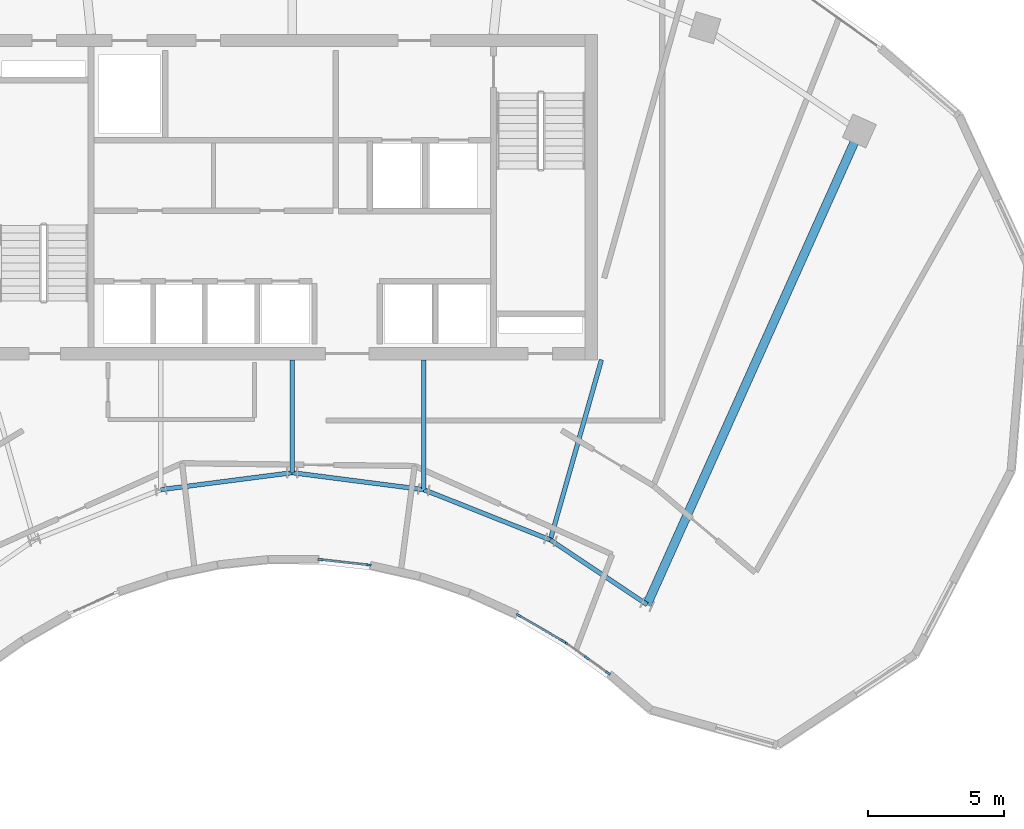
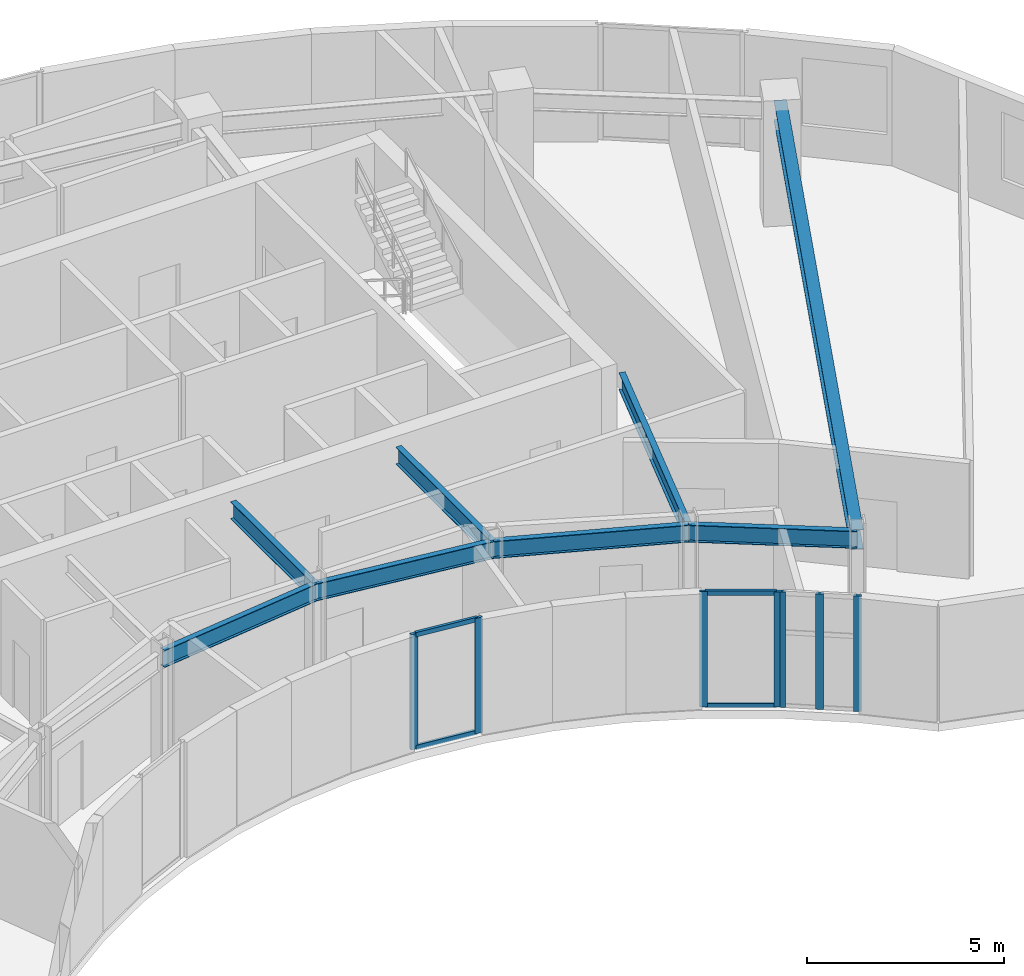
# One storey, part 3 of 12: 11 members, 8 beams, 3 elements without a shape of their own.
"""IFC4 building model written with IfcOpenShell, lengths in metres."""

from ifc_helpers import new_model, si_unit, direction, frame, origin, origin_2d, place, context, subcontext, project, spatial, rectangle, i_section, extrude, source, transform, mapped, material, layer, layer_set, material_profile, profile_set, type_object, type_shapes, element, aggregate, save


model = new_model("IFC4")

# Units and contexts
model_context = context("Model", 3, precision=1e-05, world=origin(), true_north=direction((0.0, 1.0)))
body_context = subcontext(model_context, "Body", "Model", "MODEL_VIEW")
ifc_project = project(units=[si_unit("LENGTHUNIT", "METRE"), si_unit("AREAUNIT", "SQUARE_METRE"), si_unit("VOLUMEUNIT", "CUBIC_METRE"), si_unit("PLANEANGLEUNIT", "RADIAN"), si_unit("MASSUNIT", "GRAM", prefix="KILO")], contexts=[model_context])

# Site, building, storey
site_placement = place(None, origin())
site = spatial("IfcSite", under=ifc_project, at=site_placement, CompositionType="ELEMENT")
building_placement = place(site_placement, origin())
building = spatial("IfcBuilding", under=site, at=building_placement, Name="Breltana Convention Tower", CompositionType="ELEMENT")
storey_placement = place(building_placement, frame((0.0, 0.0, 250.800048828125)))
storey = spatial("IfcBuildingStorey", under=building, at=storey_placement, Name="L61", CompositionType="ELEMENT", Elevation=250.800048828125)

# Beams
ifc_material_1 = material(Name="Steel ASTM A992 Grade 50", Category="steel")
ifc_material_profile_1 = material_profile(ifc_material_1, i_section(OverallWidth=0.166015625, OverallDepth=0.534912109375, WebThickness=0.01025390625, FlangeThickness=0.0166015625, at=origin_2d()), Name="W21X57")
ifc_profile_set_1 = profile_set([ifc_material_profile_1], Name="Steel ASTM A992 Grade 50")
beam_type_1 = type_object("IfcBeamType", Name="BM-BM-W21X57", PredefinedType="BEAM", material=ifc_profile_set_1)
shared_shape_1 = source(origin(), body_context, "Body", "SweptSolid", [
    extrude(i_section(OverallWidth=0.166015625, OverallDepth=0.534912109375, WebThickness=0.01025390625, FlangeThickness=0.0166015625, at=origin_2d()), origin(), (0.0, 0.0, 1.0), 6.904541015625),
])
type_shapes(beam_type_1, [shared_shape_1])
beam_1_placement = place(storey_placement, frame((59.39990234375, 60.199951171875, 3.3125), z_axis=(-0.273006781054, -0.962012108811, 0.0), x_axis=(0.962012108811, -0.273006781054, 0.0)))
element("IfcBeam", 1, at=beam_1_placement, inside=storey, type_object=beam_type_1, Name="L61 South Core Tie Girder R08", PredefinedType="BEAM", context=body_context, shape_type="MappedRepresentation", body=[
    mapped(shared_shape_1, transform((0.0, 0.0, 0.0), scale=1.0)),
])
shared_shape_2 = source(origin(), body_context, "Body", "SweptSolid", [
    extrude(i_section(OverallWidth=0.166015625, OverallDepth=0.534912109375, WebThickness=0.01025390625, FlangeThickness=0.0166015625, at=origin_2d()), origin(), (0.0, 0.0, 1.0), 4.789306640625),
])
beam_2_placement = place(storey_placement, frame((52.846435546875, 60.199951171875, 3.3125), z_axis=(0.0, -1.0, 0.0), x_axis=(1.0, 0.0, 0.0)))
element("IfcBeam", 2, at=beam_2_placement, inside=storey, type_object=beam_type_1, Name="L61 South Core Tie Girder R07", PredefinedType="BEAM", context=body_context, shape_type="MappedRepresentation", body=[
    mapped(shared_shape_2, transform((0.0, 0.0, 0.0), scale=1.0)),
])
shared_shape_3 = source(origin(), body_context, "Body", "SweptSolid", [
    extrude(i_section(OverallWidth=0.166015625, OverallDepth=0.534912109375, WebThickness=0.01025390625, FlangeThickness=0.0166015625, at=origin_2d()), origin(), (0.0, 0.0, 1.0), 4.1640625),
])
beam_3_placement = place(storey_placement, frame((48.0, 60.199951171875, 3.3125), z_axis=(0.0, -1.0, 0.0), x_axis=(1.0, 0.0, 0.0)))
element("IfcBeam", 3, at=beam_3_placement, inside=storey, type_object=beam_type_1, Name="L61 South Core Tie Girder R06", PredefinedType="BEAM", context=body_context, shape_type="MappedRepresentation", body=[
    mapped(shared_shape_3, transform((0.0, 0.0, 0.0), scale=1.0)),
])
shared_shape_4 = source(origin(), body_context, "Body", "SweptSolid", [
    extrude(i_section(OverallWidth=0.166015625, OverallDepth=0.534912109375, WebThickness=0.01025390625, FlangeThickness=0.0166015625, at=origin_2d()), origin(), (0.0, 0.0, 1.0), 5.022705078125),
])
beam_4_placement = place(storey_placement, frame((52.846435546875, 55.41064453125, 3.3125), z_axis=(0.929458966248, -0.368925507469, 0.0), x_axis=(0.368925507469, 0.929458966248, 0.0)))
element("IfcBeam", 4, at=beam_4_placement, inside=storey, type_object=beam_type_1, Name="L61 Inner Ring Beam 07", PredefinedType="BEAM", context=body_context, shape_type="MappedRepresentation", body=[
    mapped(shared_shape_4, transform((0.0, 0.0, 0.0), scale=1.0)),
])
shared_shape_5 = source(origin(), body_context, "Body", "SweptSolid", [
    extrude(i_section(OverallWidth=0.166015625, OverallDepth=0.534912109375, WebThickness=0.01025390625, FlangeThickness=0.0166015625, at=origin_2d()), origin(), (0.0, 0.0, 1.0), 4.88671875),
])
for number, where, z_axis, x_axis, name in (
    (5, (43.153564453125, 55.41064453125, 3.3125), (0.991780525565, 0.127950729231, 0.0), (-0.127950729231, 0.991780525565, 0.0), "L61 Inner Ring Beam 05"),
    (6, (48.0, 56.035888671875, 3.3125), (0.991780525565, -0.127950729231, 0.0), (0.127950729231, 0.991780525565, 0.0), "L61 Inner Ring Beam 06"),
):
    element("IfcBeam", number, at=place(storey_placement, frame(where, z_axis=z_axis, x_axis=x_axis)), inside=storey, type_object=beam_type_1, Name=name, PredefinedType="BEAM", context=body_context, shape_type="MappedRepresentation", body=[
        mapped(shared_shape_5, transform((0.0, 0.0, 0.0), scale=1.0)),
    ])
shared_shape_6 = source(origin(), body_context, "Body", "SweptSolid", [
    extrude(i_section(OverallWidth=0.166015625, OverallDepth=0.534912109375, WebThickness=0.01025390625, FlangeThickness=0.0166015625, at=origin_2d()), origin(), (0.0, 0.0, 1.0), 4.2900390625),
])
beam_5_placement = place(storey_placement, frame((57.514892578125, 53.5576171875, 3.3125), z_axis=(0.831515827753, -0.555501060482, 0.0), x_axis=(0.555501060482, 0.831515827753, 0.0)))
element("IfcBeam", 7, at=beam_5_placement, inside=storey, type_object=beam_type_1, Name="L61 Inner Ring Beam 08", PredefinedType="BEAM", context=body_context, shape_type="MappedRepresentation", body=[
    mapped(shared_shape_6, transform((0.0, 0.0, 0.0), scale=1.0)),
])
ifc_material_profile_2 = material_profile(ifc_material_1, i_section(OverallWidth=0.326904296875, OverallDepth=0.6220703125, WebThickness=0.015380859375, FlangeThickness=0.0244140625, at=origin_2d()), Name="W24X131")
ifc_profile_set_2 = profile_set([ifc_material_profile_2], Name="Steel ASTM A992 Grade 50")
beam_type_2 = type_object("IfcBeamType", Name="BM-RG-W24X131", PredefinedType="USERDEFINED", material=ifc_profile_set_2)
shared_shape_7 = source(origin(), body_context, "Body", "SweptSolid", [
    extrude(i_section(OverallWidth=0.326904296875, OverallDepth=0.6220703125, WebThickness=0.015380859375, FlangeThickness=0.0244140625, at=origin_2d()), origin(), (0.0, 0.0, 1.0), 19.133544921875),
])
beam_6_placement = place(storey_placement, frame((61.08203125, 51.174560546875, 3.26904296875), z_axis=(0.409144564164, 0.912469575172, 0.0), x_axis=(-0.912469575172, 0.409144564164, 0.0)))
element("IfcBeam", 8, at=beam_6_placement, inside=storey, type_object=beam_type_2, Name="L61 Radial Floor Girder R09", ObjectType="GIRDER", PredefinedType="USERDEFINED", context=body_context, shape_type="MappedRepresentation", body=[
    mapped(shared_shape_7, transform((0.0, 0.0, 0.0), scale=1.0)),
])

# Curtain wall, members
ifc_material_2 = material(Name="Aluminium Anodised Bronze Frame", Category="aluminium")
ifc_layer = layer(ifc_material_2, 0.18994140625, Name="Aluminium Anodised Bronze Frame")
ifc_layer_set = layer_set([ifc_layer], Name="Aluminium Anodised Bronze Frame")
curtain_wall_type = type_object("IfcCurtainWallType", Name="CW-SYS-1", PredefinedType="NOTDEFINED", material=ifc_layer_set)
curtain_wall_1_placement = place(storey_placement, origin())
curtain_wall_1 = element("IfcCurtainWall", 9, at=curtain_wall_1_placement, inside=storey, type_object=curtain_wall_type, Name="L61 inner south-court glazing 2", PredefinedType="NOTDEFINED")
ifc_material_3 = material(Name="Aluminium Anodised Bronze", Category="aluminium")
ifc_material_profile_3 = material_profile(ifc_material_3, rectangle(XDim=0.080078125, YDim=0.139892578125, at=origin_2d()), Name="CWT-80X140")
ifc_profile_set_3 = profile_set([ifc_material_profile_3], Name="Aluminium Anodised Bronze")
member_type_1 = type_object("IfcMemberType", Name="CWT-140", PredefinedType="USERDEFINED", material=ifc_profile_set_3)
shared_shape_8 = source(origin(), body_context, "Body", "SweptSolid", [
    extrude(rectangle(XDim=0.080078125, YDim=0.139892578125, at=origin_2d()), origin(), (0.0, 0.0, 1.0), 1.810791015625),
])
member_1_placement = place(storey_placement, frame((57.95166015625, 49.84619140625, 0.0400390625), z_axis=(-0.865290871949, 0.501270093784, 0.0), x_axis=(-0.501270093784, -0.865290871949, 0.0)))
member_1 = element("IfcMember", 10, at=member_1_placement, type_object=member_type_1, Name="CW-01 transom 1.1", ObjectType="TRANSOM", PredefinedType="USERDEFINED", context=body_context, shape_type="MappedRepresentation", body=[
    mapped(shared_shape_8, transform((0.0, 0.0, 0.0), scale=1.0)),
])
member_2_placement = place(storey_placement, frame((57.95166015625, 49.84619140625, 3.5400390625), z_axis=(-0.865290871949, 0.501270093784, 0.0), x_axis=(-0.501270093784, -0.865290871949, 0.0)))
member_2 = element("IfcMember", 11, at=member_2_placement, type_object=member_type_1, Name="CW-01 transom 1.2", ObjectType="TRANSOM", PredefinedType="USERDEFINED", context=body_context, shape_type="MappedRepresentation", body=[
    mapped(shared_shape_8, transform((0.0, 0.0, 0.0), scale=1.0)),
])

curtain_wall_2_placement = place(storey_placement, origin())
curtain_wall_2 = element("IfcCurtainWall", 12, at=curtain_wall_2_placement, inside=storey, type_object=curtain_wall_type, Name="L61 inner south-court glazing 3", PredefinedType="NOTDEFINED")
shared_shape_9 = source(origin(), body_context, "Body", "SweptSolid", [
    extrude(rectangle(XDim=0.080078125, YDim=0.139892578125, at=origin_2d()), origin(), (0.0, 0.0, 1.0), 1.703125),
])
member_3_placement = place(storey_placement, frame((50.77099609375, 52.638427734375, 0.0400390625), z_axis=(-0.993794258689, 0.111233859043, 0.0), x_axis=(-0.111233859043, -0.993794258689, 0.0)))
member_3 = element("IfcMember", 13, at=member_3_placement, type_object=member_type_1, Name="CW-01 transom 1.1", ObjectType="TRANSOM", PredefinedType="USERDEFINED", context=body_context, shape_type="MappedRepresentation", body=[
    mapped(shared_shape_9, transform((0.0, 0.0, 0.0), scale=1.0)),
])
member_4_placement = place(storey_placement, frame((50.77099609375, 52.638427734375, 3.5400390625), z_axis=(-0.993794258689, 0.111233859043, 0.0), x_axis=(-0.111233859043, -0.993794258689, 0.0)))
member_4 = element("IfcMember", 14, at=member_4_placement, type_object=member_type_1, Name="CW-01 transom 1.2", ObjectType="TRANSOM", PredefinedType="USERDEFINED", context=body_context, shape_type="MappedRepresentation", body=[
    mapped(shared_shape_9, transform((0.0, 0.0, 0.0), scale=1.0)),
])

curtain_wall_3_placement = place(storey_placement, origin())
curtain_wall_3 = element("IfcCurtainWall", 15, at=curtain_wall_3_placement, inside=storey, type_object=curtain_wall_type, Name="L61 inner south-court glazing 1", PredefinedType="NOTDEFINED")
ifc_material_profile_4 = material_profile(ifc_material_3, rectangle(XDim=0.080078125, YDim=0.199951171875, at=origin_2d()), Name="CWM-80X200")
ifc_profile_set_4 = profile_set([ifc_material_profile_4], Name="Aluminium Anodised Bronze")
member_type_2 = type_object("IfcMemberType", Name="CWM-200", PredefinedType="MULLION", material=ifc_profile_set_4)
shared_shape_10 = source(origin(), body_context, "Body", "SweptSolid", [
    extrude(rectangle(XDim=0.080078125, YDim=0.199951171875, at=origin_2d()), origin(), (0.0, 0.0, 1.0), 3.579833984375),
])
member_5_placement = place(storey_placement, frame((59.642822265625, 48.650390625, 0.0), z_axis=(0.0, 0.0, 1.0), x_axis=(-0.580679280365, -0.814132405297, 0.0)))
member_5 = element("IfcMember", 16, at=member_5_placement, type_object=member_type_2, Name="CW-01 mullion 1", PredefinedType="MULLION", context=body_context, shape_type="MappedRepresentation", body=[
    mapped(shared_shape_10, transform((0.0, 0.0, 0.0), scale=1.0)),
])
member_6_placement = place(storey_placement, frame((58.85546875, 49.2119140625, 0.0), z_axis=(0.0, 0.0, 1.0), x_axis=(-0.580679280365, -0.814132405297, 0.0)))
member_6 = element("IfcMember", 17, at=member_6_placement, type_object=member_type_2, Name="CW-01 mullion 2", PredefinedType="MULLION", context=body_context, shape_type="MappedRepresentation", body=[
    mapped(shared_shape_10, transform((0.0, 0.0, 0.0), scale=1.0)),
])
member_7_placement = place(storey_placement, frame((58.06787109375, 49.773681640625, 0.0), z_axis=(0.0, 0.0, 1.0), x_axis=(-0.580679280365, -0.814132405297, 0.0)))
member_7 = element("IfcMember", 18, at=member_7_placement, type_object=member_type_2, Name="CW-01 mullion 3", PredefinedType="MULLION", context=body_context, shape_type="MappedRepresentation", body=[
    mapped(shared_shape_10, transform((0.0, 0.0, 0.0), scale=1.0)),
])
aggregate(curtain_wall_3, [member_5, member_6, member_7])

# Member
member_8_placement = place(storey_placement, frame((57.986328125, 49.826171875, 0.0), z_axis=(0.0, 0.0, 1.0), x_axis=(-0.501190266215, -0.865337111796, 0.0)))
member_8 = element("IfcMember", 19, at=member_8_placement, type_object=member_type_2, Name="CW-01 mullion 1", PredefinedType="MULLION", context=body_context, shape_type="MappedRepresentation", body=[
    mapped(shared_shape_10, transform((0.0, 0.0, 0.0), scale=1.0)),
])

member_9_placement = place(storey_placement, frame((56.35009765625, 50.77392578125, 0.0), z_axis=(0.0, 0.0, 1.0), x_axis=(-0.501190266215, -0.865337111796, 0.0)))
member_9 = element("IfcMember", 20, at=member_9_placement, type_object=member_type_2, Name="CW-01 mullion 2", PredefinedType="MULLION", context=body_context, shape_type="MappedRepresentation", body=[
    mapped(shared_shape_10, transform((0.0, 0.0, 0.0), scale=1.0)),
])

aggregate(curtain_wall_1, [member_8, member_9, member_1, member_2])

member_10_placement = place(storey_placement, frame((50.810791015625, 52.634033203125, 0.0), z_axis=(0.0, 0.0, 1.0), x_axis=(-0.111262094719, -0.993791097907, 0.0)))
member_10 = element("IfcMember", 21, at=member_10_placement, type_object=member_type_2, Name="CW-01 mullion 1", PredefinedType="MULLION", context=body_context, shape_type="MappedRepresentation", body=[
    mapped(shared_shape_10, transform((0.0, 0.0, 0.0), scale=1.0)),
])

member_11_placement = place(storey_placement, frame((49.03857421875, 52.83251953125, 0.0), z_axis=(0.0, 0.0, 1.0), x_axis=(-0.111262094719, -0.993791097907, 0.0)))
member_11 = element("IfcMember", 22, at=member_11_placement, type_object=member_type_2, Name="CW-01 mullion 2", PredefinedType="MULLION", context=body_context, shape_type="MappedRepresentation", body=[
    mapped(shared_shape_10, transform((0.0, 0.0, 0.0), scale=1.0)),
])

aggregate(curtain_wall_2, [member_10, member_11, member_3, member_4])

save(model, "model.ifc")
